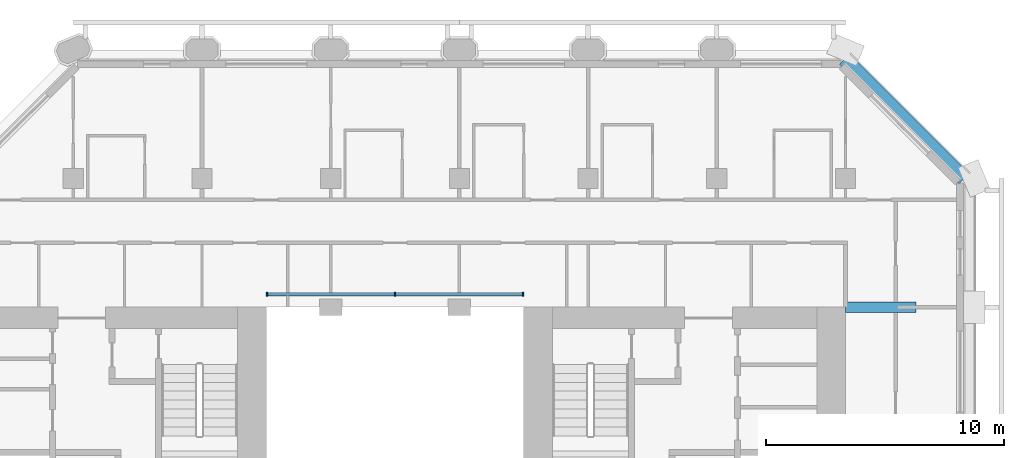
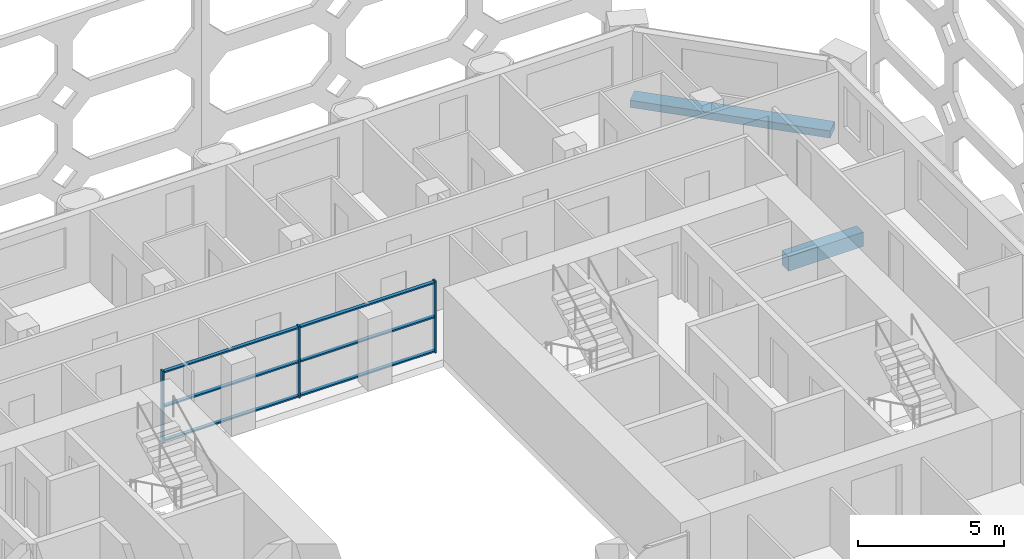
# One storey, part 4 of 14: 9 members, 2 beams, 1 element without a shape of its own.
"""IFC4 building model written with IfcOpenShell, lengths in metres."""

from ifc_helpers import new_model, si_unit, direction, frame, origin, origin_2d, place, context, subcontext, project, spatial, rectangle, extrude, material, material_profile, profile_set, type_object, element, aggregate, save


model = new_model("IFC4")

# Units and contexts
model_context = context("Model", 3, precision=1e-05, world=origin(), true_north=direction((0.0, 1.0)))
body_context = subcontext(model_context, "Body", "Model", "MODEL_VIEW")
ifc_project = project(units=[si_unit("LENGTHUNIT", "METRE"), si_unit("AREAUNIT", "SQUARE_METRE"), si_unit("VOLUMEUNIT", "CUBIC_METRE"), si_unit("PLANEANGLEUNIT", "RADIAN"), si_unit("MASSUNIT", "GRAM", prefix="KILO")], contexts=[model_context])

# Site, building, storey
site_placement = place(None, origin())
site = spatial("IfcSite", under=ifc_project, at=site_placement, CompositionType="ELEMENT")
building_placement = place(site_placement, origin())
building = spatial("IfcBuilding", under=site, at=building_placement, Name="Tabaq Tower and Sports Hall", CompositionType="ELEMENT")
storey_placement = place(building_placement, frame((0.0, 0.0, 166.0)))
storey = spatial("IfcBuildingStorey", under=building, at=storey_placement, Name="L39", CompositionType="ELEMENT", Elevation=166.0)

# Curtain wall, members
ifc_material_1 = material(Name="Aluminium alloy 6063-T6 framed glazing", Category="aluminium")
curtain_wall_type = type_object("IfcCurtainWallType", Name="CW1 curtain wall", PredefinedType="USERDEFINED", material=ifc_material_1)
curtain_wall_placement = place(storey_placement, origin())
curtain_wall = element("IfcCurtainWall", 1, at=curtain_wall_placement, inside=storey, type_object=curtain_wall_type, Name="Atrium glazing L39 N", ObjectType="ATRIUM ENCLOSURE", PredefinedType="USERDEFINED")
ifc_material_2 = material(Name="Aluminium alloy 6063-T6", Category="aluminium")
ifc_material_profile_1 = material_profile(ifc_material_2, rectangle(XDim=0.159912109375, YDim=0.06005859375, at=origin_2d()), Name="MULLION 160x60")
ifc_profile_set_1 = profile_set([ifc_material_profile_1], Name="Aluminium alloy 6063-T6")
member_type_1 = type_object("IfcMemberType", Name="CW1 mullion 160x60", PredefinedType="MULLION", material=ifc_profile_set_1)
member_1_placement = place(storey_placement, frame((18.929931640625, 32.949951171875, 0.0), z_axis=(0.0, 0.0, 1.0), x_axis=(0.0, 1.0, 0.0)))
member_1 = element("IfcMember", 2, at=member_1_placement, type_object=member_type_1, Name="CW1 mullion 1", PredefinedType="MULLION", context=body_context, shape_type="SweptSolid", body=[
    extrude(rectangle(XDim=0.159912109375, YDim=0.06005859375, at=origin_2d()), origin(), (0.0, 0.0, 1.0), 3.0),
])
member_2_placement = place(storey_placement, frame((24.300048828125, 32.949951171875, 0.0), z_axis=(0.0, 0.0, 1.0), x_axis=(0.0, 1.0, 0.0)))
member_2 = element("IfcMember", 3, at=member_2_placement, type_object=member_type_1, Name="CW1 mullion 2", PredefinedType="MULLION", context=body_context, shape_type="SweptSolid", body=[
    extrude(rectangle(XDim=0.159912109375, YDim=0.06005859375, at=origin_2d()), origin(), (0.0, 0.0, 1.0), 3.0),
])
member_3_placement = place(storey_placement, frame((29.669921875, 32.949951171875, 0.0), z_axis=(0.0, 0.0, 1.0), x_axis=(0.0, 1.0, 0.0)))
member_3 = element("IfcMember", 4, at=member_3_placement, type_object=member_type_1, Name="CW1 mullion 3", PredefinedType="MULLION", context=body_context, shape_type="SweptSolid", body=[
    extrude(rectangle(XDim=0.159912109375, YDim=0.06005859375, at=origin_2d()), origin(), (0.0, 0.0, 1.0), 3.0),
])
ifc_material_3 = material(Name="Aluminium alloy 6063-T6", Category="aluminium")
ifc_material_profile_2 = material_profile(ifc_material_3, rectangle(XDim=0.139892578125, YDim=0.06005859375, at=origin_2d()), Name="TRANSOM 140x60")
ifc_profile_set_2 = profile_set([ifc_material_profile_2], Name="Aluminium alloy 6063-T6")
member_type_2 = type_object("IfcMemberType", Name="CW1 transom 140x60", PredefinedType="USERDEFINED", material=ifc_profile_set_2)
member_4_placement = place(storey_placement, frame((18.9599609375, 32.949951171875, 0.070068359375), z_axis=(1.0, 0.0, 0.0), x_axis=(0.0, 1.0, 0.0)))
member_4 = element("IfcMember", 5, at=member_4_placement, type_object=member_type_2, Name="CW1 transom 1.1", ObjectType="TRANSOM", PredefinedType="USERDEFINED", context=body_context, shape_type="SweptSolid", body=[
    extrude(rectangle(XDim=0.139892578125, YDim=0.06005859375, at=origin_2d()), origin(), (0.0, 0.0, 1.0), 5.31005859375),
])
member_5_placement = place(storey_placement, frame((18.9599609375, 32.949951171875, 1.5), z_axis=(1.0, 0.0, 0.0), x_axis=(0.0, 1.0, 0.0)))
member_5 = element("IfcMember", 6, at=member_5_placement, type_object=member_type_2, Name="CW1 transom 1.2", ObjectType="TRANSOM", PredefinedType="USERDEFINED", context=body_context, shape_type="SweptSolid", body=[
    extrude(rectangle(XDim=0.139892578125, YDim=0.06005859375, at=origin_2d()), origin(), (0.0, 0.0, 1.0), 5.31005859375),
])
member_6_placement = place(storey_placement, frame((18.9599609375, 32.949951171875, 2.929931640625), z_axis=(1.0, 0.0, 0.0), x_axis=(0.0, 1.0, 0.0)))
member_6 = element("IfcMember", 7, at=member_6_placement, type_object=member_type_2, Name="CW1 transom 1.3", ObjectType="TRANSOM", PredefinedType="USERDEFINED", context=body_context, shape_type="SweptSolid", body=[
    extrude(rectangle(XDim=0.139892578125, YDim=0.06005859375, at=origin_2d()), origin(), (0.0, 0.0, 1.0), 5.31005859375),
])
member_7_placement = place(storey_placement, frame((24.330078125, 32.949951171875, 0.070068359375), z_axis=(1.0, 0.0, 0.0), x_axis=(0.0, 1.0, 0.0)))
member_7 = element("IfcMember", 8, at=member_7_placement, type_object=member_type_2, Name="CW1 transom 2.1", ObjectType="TRANSOM", PredefinedType="USERDEFINED", context=body_context, shape_type="SweptSolid", body=[
    extrude(rectangle(XDim=0.139892578125, YDim=0.06005859375, at=origin_2d()), origin(), (0.0, 0.0, 1.0), 5.309814453125),
])
member_8_placement = place(storey_placement, frame((24.330078125, 32.949951171875, 1.5), z_axis=(1.0, 0.0, 0.0), x_axis=(0.0, 1.0, 0.0)))
member_8 = element("IfcMember", 9, at=member_8_placement, type_object=member_type_2, Name="CW1 transom 2.2", ObjectType="TRANSOM", PredefinedType="USERDEFINED", context=body_context, shape_type="SweptSolid", body=[
    extrude(rectangle(XDim=0.139892578125, YDim=0.06005859375, at=origin_2d()), origin(), (0.0, 0.0, 1.0), 5.309814453125),
])
member_9_placement = place(storey_placement, frame((24.330078125, 32.949951171875, 2.929931640625), z_axis=(1.0, 0.0, 0.0), x_axis=(0.0, 1.0, 0.0)))
member_9 = element("IfcMember", 10, at=member_9_placement, type_object=member_type_2, Name="CW1 transom 2.3", ObjectType="TRANSOM", PredefinedType="USERDEFINED", context=body_context, shape_type="SweptSolid", body=[
    extrude(rectangle(XDim=0.139892578125, YDim=0.06005859375, at=origin_2d()), origin(), (0.0, 0.0, 1.0), 5.309814453125),
])
aggregate(curtain_wall, [member_1, member_2, member_3, member_4, member_5, member_6, member_7, member_8, member_9])

# Beams
ifc_material_4 = material(Name="Concrete C40/50", Category="concrete")
ifc_material_profile_3 = material_profile(ifc_material_4, rectangle(XDim=0.449951171875, YDim=0.60009765625, at=origin_2d()), Name="CB 450x600")
ifc_profile_set_3 = profile_set([ifc_material_profile_3], Name="Concrete C40/50")
beam_type_1 = type_object("IfcBeamType", Name="PT CANTILEVER BEAM CB 450x600 C40/50", PredefinedType="BEAM", material=ifc_profile_set_3)
beam_1_placement = place(storey_placement, frame((46.14990234375, 32.39990234375, -0.60009765625), z_axis=(-1.0, 0.0, 0.0), x_axis=(0.0, -1.0, 0.0)))
element("IfcBeam", 11, at=beam_1_placement, inside=storey, type_object=beam_type_1, Name="Cantilever Beam L39 E6 span 1", PredefinedType="BEAM", context=body_context, shape_type="SweptSolid", body=[
    extrude(rectangle(XDim=0.449951171875, YDim=0.60009765625, at=origin_2d()), origin(), (0.0, 0.0, 1.0), 2.949951171875),
])
ifc_material_5 = material(Name="Concrete C40/50", Category="concrete")
ifc_material_profile_4 = material_profile(ifc_material_5, rectangle(XDim=0.60009765625, YDim=0.300048828125, at=origin_2d()), Name="EB 600x300")
ifc_profile_set_4 = profile_set([ifc_material_profile_4], Name="Concrete C40/50")
beam_type_2 = type_object("IfcBeamType", Name="PT EDGE BEAM EB 600x300 C40/50", PredefinedType="SPANDREL", material=ifc_profile_set_4)
beam_2_placement = place(storey_placement, frame((48.1767578125, 37.799072265625, -0.14990234375), z_axis=(-0.707124002701, 0.707089559252, 0.0), x_axis=(-0.707089559252, -0.707124002701, 0.0)))
element("IfcBeam", 12, at=beam_2_placement, inside=storey, type_object=beam_type_2, Name="Edge Beam L39 4", PredefinedType="SPANDREL", context=body_context, shape_type="SweptSolid", body=[
    extrude(rectangle(XDim=0.60009765625, YDim=0.300048828125, at=origin_2d()), origin(), (0.0, 0.0, 1.0), 7.088134765625),
])

save(model, "model.ifc")
